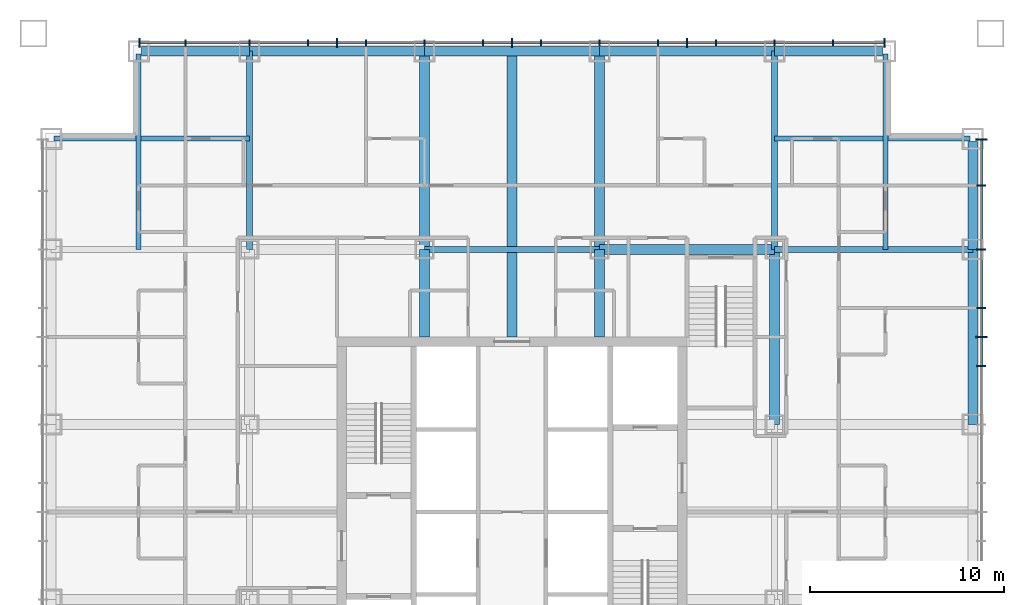
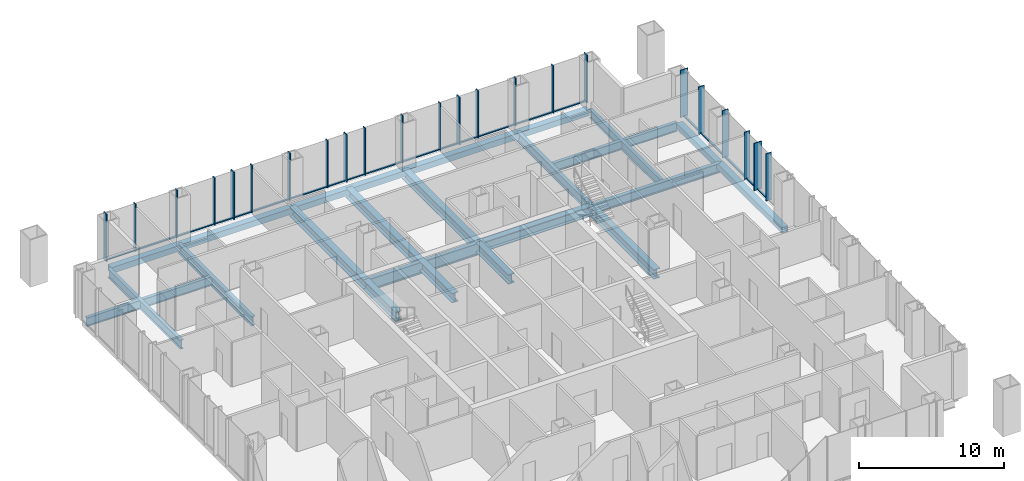
# One storey, part 5 of 12: 44 members, 22 beams, 2 elements without a shape of their own.
"""IFC4 building model written with IfcOpenShell, lengths in metres."""

from ifc_helpers import new_model, si_unit, direction, frame, origin, origin_2d, place, context, subcontext, project, spatial, rectangle, hollow_rectangle, i_section, extrude, material, layer, layer_set, material_profile, profile_set, type_object, element, aggregate, save


model = new_model("IFC4")

# Units and contexts
model_context = context("Model", 3, precision=1e-05, world=origin(), true_north=direction((0.0, 1.0)))
body_context = subcontext(model_context, "Body", "Model", "MODEL_VIEW")
ifc_project = project(units=[si_unit("LENGTHUNIT", "METRE"), si_unit("AREAUNIT", "SQUARE_METRE"), si_unit("VOLUMEUNIT", "CUBIC_METRE"), si_unit("PLANEANGLEUNIT", "RADIAN"), si_unit("MASSUNIT", "GRAM", prefix="KILO")], contexts=[model_context])

# Site, building, storey
site_placement = place(None, origin())
site = spatial("IfcSite", under=ifc_project, at=site_placement, CompositionType="ELEMENT")
building_placement = place(site_placement, origin())
building = spatial("IfcBuilding", under=site, at=building_placement, Name="Malebo Sky Hospital", CompositionType="ELEMENT")
storey_placement = place(building_placement, frame((0.0, 0.0, 136.0)))
storey = spatial("IfcBuildingStorey", under=building, at=storey_placement, Name="L32", CompositionType="ELEMENT", Elevation=136.0)

# Curtain wall, members
ifc_material_1 = material(Name="Anodised aluminium, natural silver", Category="aluminium")
ifc_layer_1 = layer(ifc_material_1, 0.25)
ifc_layer_set_1 = layer_set([ifc_layer_1], Name="WARD CURTAIN WALL NORTH AND SOUTH")
curtain_wall_type_1 = type_object("IfcCurtainWallType", Name="WARD CURTAIN WALL NORTH AND SOUTH", PredefinedType="NOTDEFINED", material=ifc_layer_set_1)
curtain_wall_1_placement = place(storey_placement, origin())
curtain_wall_1 = element("IfcCurtainWall", 1, at=curtain_wall_1_placement, inside=storey, type_object=curtain_wall_type_1, Name="NS curtain wall N", PredefinedType="NOTDEFINED")
ifc_material_profile_1 = material_profile(ifc_material_1, rectangle(XDim=0.14990234375, YDim=0.10009765625, at=origin_2d()), Name="ALUMINIUM TRANSOM 150x100")
ifc_profile_set_1 = profile_set([ifc_material_profile_1], Name="Anodised aluminium, natural silver")
member_type_1 = type_object("IfcMemberType", Name="ALUMINIUM TRANSOM 150x100", PredefinedType="USERDEFINED", material=ifc_profile_set_1)
member_1_placement = place(storey_placement, frame((40.875, 86.135009765625, 0.050048828125), z_axis=(1.0, 0.0, 0.0), x_axis=(0.0, 1.0, 0.0)))
member_1 = element("IfcMember", 2, at=member_1_placement, type_object=member_type_1, Name="Transom 1", ObjectType="TRANSOM", PredefinedType="USERDEFINED", context=body_context, shape_type="SweptSolid", body=[
    extrude(rectangle(XDim=0.14990234375, YDim=0.10009765625, at=origin_2d()), origin(), (0.0, 0.0, 1.0), 2.28759765625),
])
member_2_placement = place(storey_placement, frame((43.237548828125, 86.135009765625, 0.050048828125), z_axis=(1.0, 0.0, 0.0), x_axis=(0.0, 1.0, 0.0)))
member_2 = element("IfcMember", 3, at=member_2_placement, type_object=member_type_1, Name="Transom 2", ObjectType="TRANSOM", PredefinedType="USERDEFINED", context=body_context, shape_type="SweptSolid", body=[
    extrude(rectangle(XDim=0.14990234375, YDim=0.10009765625, at=origin_2d()), origin(), (0.0, 0.0, 1.0), 3.224853515625),
])
member_3_placement = place(storey_placement, frame((46.53759765625, 86.135009765625, 0.050048828125), z_axis=(1.0, 0.0, 0.0), x_axis=(0.0, 1.0, 0.0)))
member_3 = element("IfcMember", 4, at=member_3_placement, type_object=member_type_1, Name="Transom 3", ObjectType="TRANSOM", PredefinedType="USERDEFINED", context=body_context, shape_type="SweptSolid", body=[
    extrude(rectangle(XDim=0.14990234375, YDim=0.10009765625, at=origin_2d()), origin(), (0.0, 0.0, 1.0), 2.9248046875),
])
member_4_placement = place(storey_placement, frame((49.53759765625, 86.135009765625, 0.050048828125), z_axis=(1.0, 0.0, 0.0), x_axis=(0.0, 1.0, 0.0)))
member_4 = element("IfcMember", 5, at=member_4_placement, type_object=member_type_1, Name="Transom 4", ObjectType="TRANSOM", PredefinedType="USERDEFINED", context=body_context, shape_type="SweptSolid", body=[
    extrude(rectangle(XDim=0.14990234375, YDim=0.10009765625, at=origin_2d()), origin(), (0.0, 0.0, 1.0), 1.4248046875),
])
member_5_placement = place(storey_placement, frame((51.03759765625, 86.135009765625, 0.050048828125), z_axis=(1.0, 0.0, 0.0), x_axis=(0.0, 1.0, 0.0)))
member_5 = element("IfcMember", 6, at=member_5_placement, type_object=member_type_1, Name="Transom 5", ObjectType="TRANSOM", PredefinedType="USERDEFINED", context=body_context, shape_type="SweptSolid", body=[
    extrude(rectangle(XDim=0.14990234375, YDim=0.10009765625, at=origin_2d()), origin(), (0.0, 0.0, 1.0), 1.4248046875),
])
member_6_placement = place(storey_placement, frame((52.53759765625, 86.135009765625, 0.050048828125), z_axis=(1.0, 0.0, 0.0), x_axis=(0.0, 1.0, 0.0)))
member_6 = element("IfcMember", 7, at=member_6_placement, type_object=member_type_1, Name="Transom 6", ObjectType="TRANSOM", PredefinedType="USERDEFINED", context=body_context, shape_type="SweptSolid", body=[
    extrude(rectangle(XDim=0.14990234375, YDim=0.10009765625, at=origin_2d()), origin(), (0.0, 0.0, 1.0), 2.9248046875),
])
member_7_placement = place(storey_placement, frame((55.53759765625, 86.135009765625, 0.050048828125), z_axis=(1.0, 0.0, 0.0), x_axis=(0.0, 1.0, 0.0)))
member_7 = element("IfcMember", 8, at=member_7_placement, type_object=member_type_1, Name="Transom 7", ObjectType="TRANSOM", PredefinedType="USERDEFINED", context=body_context, shape_type="SweptSolid", body=[
    extrude(rectangle(XDim=0.14990234375, YDim=0.10009765625, at=origin_2d()), origin(), (0.0, 0.0, 1.0), 2.9248046875),
])
member_8_placement = place(storey_placement, frame((58.53759765625, 86.135009765625, 0.050048828125), z_axis=(1.0, 0.0, 0.0), x_axis=(0.0, 1.0, 0.0)))
member_8 = element("IfcMember", 9, at=member_8_placement, type_object=member_type_1, Name="Transom 8", ObjectType="TRANSOM", PredefinedType="USERDEFINED", context=body_context, shape_type="SweptSolid", body=[
    extrude(rectangle(XDim=0.14990234375, YDim=0.10009765625, at=origin_2d()), origin(), (0.0, 0.0, 1.0), 1.4248046875),
])
member_9_placement = place(storey_placement, frame((60.03759765625, 86.135009765625, 0.050048828125), z_axis=(1.0, 0.0, 0.0), x_axis=(0.0, 1.0, 0.0)))
member_9 = element("IfcMember", 10, at=member_9_placement, type_object=member_type_1, Name="Transom 9", ObjectType="TRANSOM", PredefinedType="USERDEFINED", context=body_context, shape_type="SweptSolid", body=[
    extrude(rectangle(XDim=0.14990234375, YDim=0.10009765625, at=origin_2d()), origin(), (0.0, 0.0, 1.0), 1.4248046875),
])
member_10_placement = place(storey_placement, frame((61.53759765625, 86.135009765625, 0.050048828125), z_axis=(1.0, 0.0, 0.0), x_axis=(0.0, 1.0, 0.0)))
member_10 = element("IfcMember", 11, at=member_10_placement, type_object=member_type_1, Name="Transom 10", ObjectType="TRANSOM", PredefinedType="USERDEFINED", context=body_context, shape_type="SweptSolid", body=[
    extrude(rectangle(XDim=0.14990234375, YDim=0.10009765625, at=origin_2d()), origin(), (0.0, 0.0, 1.0), 2.9248046875),
])
member_11_placement = place(storey_placement, frame((64.53759765625, 86.135009765625, 0.050048828125), z_axis=(1.0, 0.0, 0.0), x_axis=(0.0, 1.0, 0.0)))
member_11 = element("IfcMember", 12, at=member_11_placement, type_object=member_type_1, Name="Transom 11", ObjectType="TRANSOM", PredefinedType="USERDEFINED", context=body_context, shape_type="SweptSolid", body=[
    extrude(rectangle(XDim=0.14990234375, YDim=0.10009765625, at=origin_2d()), origin(), (0.0, 0.0, 1.0), 2.9248046875),
])
member_12_placement = place(storey_placement, frame((67.53759765625, 86.135009765625, 0.050048828125), z_axis=(1.0, 0.0, 0.0), x_axis=(0.0, 1.0, 0.0)))
member_12 = element("IfcMember", 13, at=member_12_placement, type_object=member_type_1, Name="Transom 12", ObjectType="TRANSOM", PredefinedType="USERDEFINED", context=body_context, shape_type="SweptSolid", body=[
    extrude(rectangle(XDim=0.14990234375, YDim=0.10009765625, at=origin_2d()), origin(), (0.0, 0.0, 1.0), 1.4248046875),
])
member_13_placement = place(storey_placement, frame((69.03759765625, 86.135009765625, 0.050048828125), z_axis=(1.0, 0.0, 0.0), x_axis=(0.0, 1.0, 0.0)))
member_13 = element("IfcMember", 14, at=member_13_placement, type_object=member_type_1, Name="Transom 13", ObjectType="TRANSOM", PredefinedType="USERDEFINED", context=body_context, shape_type="SweptSolid", body=[
    extrude(rectangle(XDim=0.14990234375, YDim=0.10009765625, at=origin_2d()), origin(), (0.0, 0.0, 1.0), 1.4248046875),
])
member_14_placement = place(storey_placement, frame((70.53759765625, 86.135009765625, 0.050048828125), z_axis=(1.0, 0.0, 0.0), x_axis=(0.0, 1.0, 0.0)))
member_14 = element("IfcMember", 15, at=member_14_placement, type_object=member_type_1, Name="Transom 14", ObjectType="TRANSOM", PredefinedType="USERDEFINED", context=body_context, shape_type="SweptSolid", body=[
    extrude(rectangle(XDim=0.14990234375, YDim=0.10009765625, at=origin_2d()), origin(), (0.0, 0.0, 1.0), 2.9248046875),
])
member_15_placement = place(storey_placement, frame((73.53759765625, 86.135009765625, 0.050048828125), z_axis=(1.0, 0.0, 0.0), x_axis=(0.0, 1.0, 0.0)))
member_15 = element("IfcMember", 16, at=member_15_placement, type_object=member_type_1, Name="Transom 15", ObjectType="TRANSOM", PredefinedType="USERDEFINED", context=body_context, shape_type="SweptSolid", body=[
    extrude(rectangle(XDim=0.14990234375, YDim=0.10009765625, at=origin_2d()), origin(), (0.0, 0.0, 1.0), 2.9248046875),
])
member_16_placement = place(storey_placement, frame((76.53759765625, 86.135009765625, 0.050048828125), z_axis=(1.0, 0.0, 0.0), x_axis=(0.0, 1.0, 0.0)))
member_16 = element("IfcMember", 17, at=member_16_placement, type_object=member_type_1, Name="Transom 16", ObjectType="TRANSOM", PredefinedType="USERDEFINED", context=body_context, shape_type="SweptSolid", body=[
    extrude(rectangle(XDim=0.14990234375, YDim=0.10009765625, at=origin_2d()), origin(), (0.0, 0.0, 1.0), 2.58740234375),
])

ifc_layer_2 = layer(ifc_material_1, 0.25)
ifc_layer_set_2 = layer_set([ifc_layer_2], Name="WARD CURTAIN WALL EAST AND WEST")
curtain_wall_type_2 = type_object("IfcCurtainWallType", Name="WARD CURTAIN WALL EAST AND WEST", PredefinedType="NOTDEFINED", material=ifc_layer_set_2)
curtain_wall_2_placement = place(storey_placement, origin())
curtain_wall_2 = element("IfcCurtainWall", 18, at=curtain_wall_2_placement, inside=storey, type_object=curtain_wall_type_2, Name="EW curtain wall E", PredefinedType="NOTDEFINED")
member_17_placement = place(storey_placement, frame((84.135009765625, 81.125, 0.050048828125), z_axis=(0.0, -1.0, 0.0), x_axis=(1.0, 0.0, 0.0)))
member_17 = element("IfcMember", 19, at=member_17_placement, type_object=member_type_1, Name="Transom 1", ObjectType="TRANSOM", PredefinedType="USERDEFINED", context=body_context, shape_type="SweptSolid", body=[
    extrude(rectangle(XDim=0.14990234375, YDim=0.10009765625, at=origin_2d()), origin(), (0.0, 0.0, 1.0), 2.28759765625),
])
member_18_placement = place(storey_placement, frame((84.135009765625, 78.762451171875, 0.050048828125), z_axis=(0.0, -1.0, 0.0), x_axis=(1.0, 0.0, 0.0)))
member_18 = element("IfcMember", 20, at=member_18_placement, type_object=member_type_1, Name="Transom 2", ObjectType="TRANSOM", PredefinedType="USERDEFINED", context=body_context, shape_type="SweptSolid", body=[
    extrude(rectangle(XDim=0.14990234375, YDim=0.10009765625, at=origin_2d()), origin(), (0.0, 0.0, 1.0), 3.224853515625),
])
member_19_placement = place(storey_placement, frame((84.135009765625, 75.46240234375, 0.050048828125), z_axis=(0.0, -1.0, 0.0), x_axis=(1.0, 0.0, 0.0)))
member_19 = element("IfcMember", 21, at=member_19_placement, type_object=member_type_1, Name="Transom 3", ObjectType="TRANSOM", PredefinedType="USERDEFINED", context=body_context, shape_type="SweptSolid", body=[
    extrude(rectangle(XDim=0.14990234375, YDim=0.10009765625, at=origin_2d()), origin(), (0.0, 0.0, 1.0), 2.9248046875),
])
member_20_placement = place(storey_placement, frame((84.135009765625, 72.46240234375, 0.050048828125), z_axis=(0.0, -1.0, 0.0), x_axis=(1.0, 0.0, 0.0)))
member_20 = element("IfcMember", 22, at=member_20_placement, type_object=member_type_1, Name="Transom 4", ObjectType="TRANSOM", PredefinedType="USERDEFINED", context=body_context, shape_type="SweptSolid", body=[
    extrude(rectangle(XDim=0.14990234375, YDim=0.10009765625, at=origin_2d()), origin(), (0.0, 0.0, 1.0), 1.4248046875),
])
member_21_placement = place(storey_placement, frame((84.135009765625, 70.96240234375, 0.050048828125), z_axis=(0.0, -1.0, 0.0), x_axis=(1.0, 0.0, 0.0)))
member_21 = element("IfcMember", 23, at=member_21_placement, type_object=member_type_1, Name="Transom 5", ObjectType="TRANSOM", PredefinedType="USERDEFINED", context=body_context, shape_type="SweptSolid", body=[
    extrude(rectangle(XDim=0.14990234375, YDim=0.10009765625, at=origin_2d()), origin(), (0.0, 0.0, 1.0), 1.4248046875),
])

# Member
ifc_material_profile_2 = material_profile(ifc_material_1, rectangle(XDim=0.074951171875, YDim=0.300048828125, at=origin_2d()), Name="CW1 ALUMINIUM FIN MULLION 75x300")
ifc_profile_set_2 = profile_set([ifc_material_profile_2], Name="Anodised aluminium, natural silver")
member_type_2 = type_object("IfcMemberType", Name="CW1 ALUMINIUM FIN MULLION 75x300", PredefinedType="MULLION", material=ifc_profile_set_2)
member_22_placement = place(storey_placement, frame((43.199951171875, 86.135009765625, 0.0), z_axis=(0.0, 0.0, 1.0), x_axis=(1.0, 0.0, 0.0)))
member_22 = element("IfcMember", 24, at=member_22_placement, type_object=member_type_2, Name="Fin mullion 2", PredefinedType="MULLION", context=body_context, shape_type="SweptSolid", body=[
    extrude(rectangle(XDim=0.074951171875, YDim=0.300048828125, at=origin_2d()), origin(), (0.0, 0.0, 1.0), 4.0),
])

member_23_placement = place(storey_placement, frame((46.5, 86.135009765625, 0.0), z_axis=(0.0, 0.0, 1.0), x_axis=(1.0, 0.0, 0.0)))
member_23 = element("IfcMember", 25, at=member_23_placement, type_object=member_type_2, Name="Fin mullion 3", PredefinedType="MULLION", context=body_context, shape_type="SweptSolid", body=[
    extrude(rectangle(XDim=0.074951171875, YDim=0.300048828125, at=origin_2d()), origin(), (0.0, 0.0, 1.0), 4.0),
])

member_24_placement = place(storey_placement, frame((49.5, 86.135009765625, 0.0), z_axis=(0.0, 0.0, 1.0), x_axis=(1.0, 0.0, 0.0)))
member_24 = element("IfcMember", 26, at=member_24_placement, type_object=member_type_2, Name="Fin mullion 4", PredefinedType="MULLION", context=body_context, shape_type="SweptSolid", body=[
    extrude(rectangle(XDim=0.074951171875, YDim=0.300048828125, at=origin_2d()), origin(), (0.0, 0.0, 1.0), 4.0),
])

member_25_placement = place(storey_placement, frame((52.5, 86.135009765625, 0.0), z_axis=(0.0, 0.0, 1.0), x_axis=(1.0, 0.0, 0.0)))
member_25 = element("IfcMember", 27, at=member_25_placement, type_object=member_type_2, Name="Fin mullion 6", PredefinedType="MULLION", context=body_context, shape_type="SweptSolid", body=[
    extrude(rectangle(XDim=0.074951171875, YDim=0.300048828125, at=origin_2d()), origin(), (0.0, 0.0, 1.0), 4.0),
])

member_26_placement = place(storey_placement, frame((55.5, 86.135009765625, 0.0), z_axis=(0.0, 0.0, 1.0), x_axis=(1.0, 0.0, 0.0)))
member_26 = element("IfcMember", 28, at=member_26_placement, type_object=member_type_2, Name="Fin mullion 7", PredefinedType="MULLION", context=body_context, shape_type="SweptSolid", body=[
    extrude(rectangle(XDim=0.074951171875, YDim=0.300048828125, at=origin_2d()), origin(), (0.0, 0.0, 1.0), 4.0),
])

member_27_placement = place(storey_placement, frame((58.5, 86.135009765625, 0.0), z_axis=(0.0, 0.0, 1.0), x_axis=(1.0, 0.0, 0.0)))
member_27 = element("IfcMember", 29, at=member_27_placement, type_object=member_type_2, Name="Fin mullion 8", PredefinedType="MULLION", context=body_context, shape_type="SweptSolid", body=[
    extrude(rectangle(XDim=0.074951171875, YDim=0.300048828125, at=origin_2d()), origin(), (0.0, 0.0, 1.0), 4.0),
])

member_28_placement = place(storey_placement, frame((61.5, 86.135009765625, 0.0), z_axis=(0.0, 0.0, 1.0), x_axis=(1.0, 0.0, 0.0)))
member_28 = element("IfcMember", 30, at=member_28_placement, type_object=member_type_2, Name="Fin mullion 10", PredefinedType="MULLION", context=body_context, shape_type="SweptSolid", body=[
    extrude(rectangle(XDim=0.074951171875, YDim=0.300048828125, at=origin_2d()), origin(), (0.0, 0.0, 1.0), 4.0),
])

member_29_placement = place(storey_placement, frame((64.5, 86.135009765625, 0.0), z_axis=(0.0, 0.0, 1.0), x_axis=(1.0, 0.0, 0.0)))
member_29 = element("IfcMember", 31, at=member_29_placement, type_object=member_type_2, Name="Fin mullion 11", PredefinedType="MULLION", context=body_context, shape_type="SweptSolid", body=[
    extrude(rectangle(XDim=0.074951171875, YDim=0.300048828125, at=origin_2d()), origin(), (0.0, 0.0, 1.0), 4.0),
])

member_30_placement = place(storey_placement, frame((67.5, 86.135009765625, 0.0), z_axis=(0.0, 0.0, 1.0), x_axis=(1.0, 0.0, 0.0)))
member_30 = element("IfcMember", 32, at=member_30_placement, type_object=member_type_2, Name="Fin mullion 12", PredefinedType="MULLION", context=body_context, shape_type="SweptSolid", body=[
    extrude(rectangle(XDim=0.074951171875, YDim=0.300048828125, at=origin_2d()), origin(), (0.0, 0.0, 1.0), 4.0),
])

member_31_placement = place(storey_placement, frame((70.5, 86.135009765625, 0.0), z_axis=(0.0, 0.0, 1.0), x_axis=(1.0, 0.0, 0.0)))
member_31 = element("IfcMember", 33, at=member_31_placement, type_object=member_type_2, Name="Fin mullion 14", PredefinedType="MULLION", context=body_context, shape_type="SweptSolid", body=[
    extrude(rectangle(XDim=0.074951171875, YDim=0.300048828125, at=origin_2d()), origin(), (0.0, 0.0, 1.0), 4.0),
])

member_32_placement = place(storey_placement, frame((73.5, 86.135009765625, 0.0), z_axis=(0.0, 0.0, 1.0), x_axis=(1.0, 0.0, 0.0)))
member_32 = element("IfcMember", 34, at=member_32_placement, type_object=member_type_2, Name="Fin mullion 15", PredefinedType="MULLION", context=body_context, shape_type="SweptSolid", body=[
    extrude(rectangle(XDim=0.074951171875, YDim=0.300048828125, at=origin_2d()), origin(), (0.0, 0.0, 1.0), 4.0),
])

member_33_placement = place(storey_placement, frame((76.5, 86.135009765625, 0.0), z_axis=(0.0, 0.0, 1.0), x_axis=(1.0, 0.0, 0.0)))
member_33 = element("IfcMember", 35, at=member_33_placement, type_object=member_type_2, Name="Fin mullion 16", PredefinedType="MULLION", context=body_context, shape_type="SweptSolid", body=[
    extrude(rectangle(XDim=0.074951171875, YDim=0.300048828125, at=origin_2d()), origin(), (0.0, 0.0, 1.0), 4.0),
])

ifc_material_profile_3 = material_profile(ifc_material_1, rectangle(XDim=0.074951171875, YDim=0.449951171875, at=origin_2d()), Name="CW1 ALUMINIUM FIN MULLION 75x450")
ifc_profile_set_3 = profile_set([ifc_material_profile_3], Name="Anodised aluminium, natural silver")
member_type_3 = type_object("IfcMemberType", Name="CW1 ALUMINIUM FIN MULLION 75x450", PredefinedType="MULLION", material=ifc_profile_set_3)
member_34_placement = place(storey_placement, frame((40.83740234375, 86.135009765625, 0.0), z_axis=(0.0, 0.0, 1.0), x_axis=(1.0, 0.0, 0.0)))
member_34 = element("IfcMember", 36, at=member_34_placement, type_object=member_type_3, Name="Fin mullion 1", PredefinedType="MULLION", context=body_context, shape_type="SweptSolid", body=[
    extrude(rectangle(XDim=0.074951171875, YDim=0.449951171875, at=origin_2d()), origin(), (0.0, 0.0, 1.0), 4.0),
])

member_35_placement = place(storey_placement, frame((51.0, 86.135009765625, 0.0), z_axis=(0.0, 0.0, 1.0), x_axis=(1.0, 0.0, 0.0)))
member_35 = element("IfcMember", 37, at=member_35_placement, type_object=member_type_3, Name="Fin mullion 5", PredefinedType="MULLION", context=body_context, shape_type="SweptSolid", body=[
    extrude(rectangle(XDim=0.074951171875, YDim=0.449951171875, at=origin_2d()), origin(), (0.0, 0.0, 1.0), 4.0),
])

member_36_placement = place(storey_placement, frame((60.0, 86.135009765625, 0.0), z_axis=(0.0, 0.0, 1.0), x_axis=(1.0, 0.0, 0.0)))
member_36 = element("IfcMember", 38, at=member_36_placement, type_object=member_type_3, Name="Fin mullion 9", PredefinedType="MULLION", context=body_context, shape_type="SweptSolid", body=[
    extrude(rectangle(XDim=0.074951171875, YDim=0.449951171875, at=origin_2d()), origin(), (0.0, 0.0, 1.0), 4.0),
])

member_37_placement = place(storey_placement, frame((69.0, 86.135009765625, 0.0), z_axis=(0.0, 0.0, 1.0), x_axis=(1.0, 0.0, 0.0)))
member_37 = element("IfcMember", 39, at=member_37_placement, type_object=member_type_3, Name="Fin mullion 13", PredefinedType="MULLION", context=body_context, shape_type="SweptSolid", body=[
    extrude(rectangle(XDim=0.074951171875, YDim=0.449951171875, at=origin_2d()), origin(), (0.0, 0.0, 1.0), 4.0),
])

member_38_placement = place(storey_placement, frame((79.16259765625, 86.135009765625, 0.0), z_axis=(0.0, 0.0, 1.0), x_axis=(1.0, 0.0, 0.0)))
member_38 = element("IfcMember", 40, at=member_38_placement, type_object=member_type_3, Name="Fin mullion 17", PredefinedType="MULLION", context=body_context, shape_type="SweptSolid", body=[
    extrude(rectangle(XDim=0.074951171875, YDim=0.449951171875, at=origin_2d()), origin(), (0.0, 0.0, 1.0), 4.0),
])

aggregate(curtain_wall_1, [member_34, member_22, member_23, member_24, member_35, member_25, member_26, member_27, member_36, member_28, member_29, member_30, member_37, member_31, member_32, member_33, member_38, member_1, member_2, member_3, member_4, member_5, member_6, member_7, member_8, member_9, member_10, member_11, member_12, member_13, member_14, member_15, member_16])

ifc_material_profile_4 = material_profile(ifc_material_1, rectangle(XDim=0.074951171875, YDim=0.449951171875, at=origin_2d()), Name="CW2 ALUMINIUM FIN MULLION 75x450")
ifc_profile_set_4 = profile_set([ifc_material_profile_4], Name="Anodised aluminium, natural silver")
member_type_4 = type_object("IfcMemberType", Name="CW2 ALUMINIUM FIN MULLION 75x450", PredefinedType="MULLION", material=ifc_profile_set_4)
member_39_placement = place(storey_placement, frame((84.135009765625, 78.800048828125, 0.0), z_axis=(0.0, 0.0, 1.0), x_axis=(0.0, -1.0, 0.0)))
member_39 = element("IfcMember", 41, at=member_39_placement, type_object=member_type_4, Name="Fin mullion 2", PredefinedType="MULLION", context=body_context, shape_type="SweptSolid", body=[
    extrude(rectangle(XDim=0.074951171875, YDim=0.449951171875, at=origin_2d()), origin(), (0.0, 0.0, 1.0), 4.0),
])

member_40_placement = place(storey_placement, frame((84.135009765625, 75.5, 0.0), z_axis=(0.0, 0.0, 1.0), x_axis=(0.0, -1.0, 0.0)))
member_40 = element("IfcMember", 42, at=member_40_placement, type_object=member_type_4, Name="Fin mullion 3", PredefinedType="MULLION", context=body_context, shape_type="SweptSolid", body=[
    extrude(rectangle(XDim=0.074951171875, YDim=0.449951171875, at=origin_2d()), origin(), (0.0, 0.0, 1.0), 4.0),
])

member_41_placement = place(storey_placement, frame((84.135009765625, 72.5, 0.0), z_axis=(0.0, 0.0, 1.0), x_axis=(0.0, -1.0, 0.0)))
member_41 = element("IfcMember", 43, at=member_41_placement, type_object=member_type_4, Name="Fin mullion 4", PredefinedType="MULLION", context=body_context, shape_type="SweptSolid", body=[
    extrude(rectangle(XDim=0.074951171875, YDim=0.449951171875, at=origin_2d()), origin(), (0.0, 0.0, 1.0), 4.0),
])

member_42_placement = place(storey_placement, frame((84.135009765625, 69.5, 0.0), z_axis=(0.0, 0.0, 1.0), x_axis=(0.0, -1.0, 0.0)))
member_42 = element("IfcMember", 44, at=member_42_placement, type_object=member_type_4, Name="Fin mullion 6", PredefinedType="MULLION", context=body_context, shape_type="SweptSolid", body=[
    extrude(rectangle(XDim=0.074951171875, YDim=0.449951171875, at=origin_2d()), origin(), (0.0, 0.0, 1.0), 4.0),
])

ifc_material_profile_5 = material_profile(ifc_material_1, rectangle(XDim=0.074951171875, YDim=0.60009765625, at=origin_2d()), Name="CW2 ALUMINIUM FIN MULLION 75x600")
ifc_profile_set_5 = profile_set([ifc_material_profile_5], Name="Anodised aluminium, natural silver")
member_type_5 = type_object("IfcMemberType", Name="CW2 ALUMINIUM FIN MULLION 75x600", PredefinedType="MULLION", material=ifc_profile_set_5)
member_43_placement = place(storey_placement, frame((84.135009765625, 81.16259765625, 0.0), z_axis=(0.0, 0.0, 1.0), x_axis=(0.0, -1.0, 0.0)))
member_43 = element("IfcMember", 45, at=member_43_placement, type_object=member_type_5, Name="Fin mullion 1", PredefinedType="MULLION", context=body_context, shape_type="SweptSolid", body=[
    extrude(rectangle(XDim=0.074951171875, YDim=0.60009765625, at=origin_2d()), origin(), (0.0, 0.0, 1.0), 4.0),
])

member_44_placement = place(storey_placement, frame((84.135009765625, 71.0, 0.0), z_axis=(0.0, 0.0, 1.0), x_axis=(0.0, -1.0, 0.0)))
member_44 = element("IfcMember", 46, at=member_44_placement, type_object=member_type_5, Name="Fin mullion 5", PredefinedType="MULLION", context=body_context, shape_type="SweptSolid", body=[
    extrude(rectangle(XDim=0.074951171875, YDim=0.60009765625, at=origin_2d()), origin(), (0.0, 0.0, 1.0), 4.0),
])

aggregate(curtain_wall_2, [member_43, member_39, member_40, member_41, member_44, member_42, member_17, member_18, member_19, member_20, member_21])

# Beams
ifc_material_2 = material(Name="Steel S460", Category="steel")
ifc_material_profile_6 = material_profile(ifc_material_2, hollow_rectangle(XDim=0.5, YDim=0.5, WallThickness=0.030029296875, at=origin_2d()), Name="BOX 500x500x30")
ifc_profile_set_6 = profile_set([ifc_material_profile_6], Name="Steel S460")
beam_type_1 = type_object("IfcBeamType", Name="EDGE BEAM BOX 500x500x30", PredefinedType="BEAM", material=ifc_profile_set_6)
beam_1_placement = place(storey_placement, frame((83.699951171875, 66.5, -0.5), z_axis=(0.0, 1.0, 0.0), x_axis=(-1.0, 0.0, 0.0)))
element("IfcBeam", 47, at=beam_1_placement, inside=storey, type_object=beam_type_1, Name="Beam 032 L32", PredefinedType="BEAM", context=body_context, shape_type="SweptSolid", body=[
    extrude(hollow_rectangle(XDim=0.5, YDim=0.5, WallThickness=0.030029296875, at=origin_2d()), origin(), (0.0, 0.0, 1.0), 9.0),
])
for number, where, z_axis, x_axis, name in (
    (48, (83.699951171875, 75.5, -0.5), (0.0, 1.0, 0.0), (-1.0, 0.0, 0.0), "Beam 033 L32"),
    (49, (40.949951171875, 85.699951171875, -0.5), (1.0, 0.0, 0.0), (0.0, 1.0, 0.0), "Beam 063 L32"),
):
    element("IfcBeam", number, at=place(storey_placement, frame(where, z_axis=z_axis, x_axis=x_axis)), inside=storey, type_object=beam_type_1, Name=name, PredefinedType="BEAM", context=body_context, shape_type="SweptSolid", body=[
        extrude(hollow_rectangle(XDim=0.5, YDim=0.5, WallThickness=0.030029296875, at=origin_2d()), origin(), (0.0, 0.0, 1.0), 5.550048828125),
    ])
for number, where, z_axis, x_axis, name in (
    (50, (46.5, 85.699951171875, -0.5), (1.0, 0.0, 0.0), (0.0, 1.0, 0.0), "Beam 064 L32"),
    (51, (55.5, 85.699951171875, -0.5), (1.0, 0.0, 0.0), (0.0, 1.0, 0.0), "Beam 065 L32"),
    (52, (64.5, 85.699951171875, -0.5), (1.0, 0.0, 0.0), (0.0, 1.0, 0.0), "Beam 066 L32"),
):
    element("IfcBeam", number, at=place(storey_placement, frame(where, z_axis=z_axis, x_axis=x_axis)), inside=storey, type_object=beam_type_1, Name=name, PredefinedType="BEAM", context=body_context, shape_type="SweptSolid", body=[
        extrude(hollow_rectangle(XDim=0.5, YDim=0.5, WallThickness=0.030029296875, at=origin_2d()), origin(), (0.0, 0.0, 1.0), 9.0),
    ])
beam_2_placement = place(storey_placement, frame((73.5, 85.699951171875, -0.5), z_axis=(1.0, 0.0, 0.0), x_axis=(0.0, 1.0, 0.0)))
element("IfcBeam", 53, at=beam_2_placement, inside=storey, type_object=beam_type_1, Name="Beam 067 L32", PredefinedType="BEAM", context=body_context, shape_type="SweptSolid", body=[
    extrude(hollow_rectangle(XDim=0.5, YDim=0.5, WallThickness=0.030029296875, at=origin_2d()), origin(), (0.0, 0.0, 1.0), 5.550048828125),
])
ifc_material_3 = material(Name="Steel S355", Category="steel")
ifc_material_profile_7 = material_profile(ifc_material_3, i_section(OverallWidth=0.262939453125, OverallDepth=0.7529296875, WebThickness=0.011474609375, FlangeThickness=0.01708984375, FilletRadius=0.01708984375, at=origin_2d()), Name="IPE 750x137")
ifc_profile_set_7 = profile_set([ifc_material_profile_7], Name="Steel S355")
beam_type_2 = type_object("IfcBeamType", Name="FLOOR BEAM IPE 750x137", PredefinedType="BEAM", material=ifc_profile_set_7)
for number, where, z_axis, x_axis, name in (
    (54, (40.800048828125, 75.5, -0.62646484375), (0.0, 1.0, 0.0), (-1.0, 0.0, 0.0), "Beam 006 L32"),
    (55, (79.199951171875, 75.5, -0.62646484375), (0.0, 1.0, 0.0), (-1.0, 0.0, 0.0), "Beam 028 L32"),
    (56, (36.449951171875, 81.199951171875, -0.62646484375), (1.0, 0.0, 0.0), (0.0, 1.0, 0.0), "Beam 061 L32"),
    (57, (73.5, 81.199951171875, -0.62646484375), (1.0, 0.0, 0.0), (0.0, 1.0, 0.0), "Beam 062 L32"),
):
    element("IfcBeam", number, at=place(storey_placement, frame(where, z_axis=z_axis, x_axis=x_axis)), inside=storey, type_object=beam_type_2, Name=name, PredefinedType="BEAM", context=body_context, shape_type="SweptSolid", body=[
        extrude(i_section(OverallWidth=0.262939453125, OverallDepth=0.7529296875, WebThickness=0.011474609375, FlangeThickness=0.01708984375, FilletRadius=0.01708984375, at=origin_2d()), origin(), (0.0, 0.0, 1.0), 10.050048828125),
    ])
ifc_material_profile_8 = material_profile(ifc_material_3, i_section(OverallWidth=0.5, OverallDepth=0.800048828125, WebThickness=0.030029296875, FlangeThickness=0.050048828125, at=origin_2d()), Name="PG 800x500x30x50")
ifc_profile_set_8 = profile_set([ifc_material_profile_8], Name="Steel S355")
beam_type_3 = type_object("IfcBeamType", Name="FLOOR BEAM PG 800x500x30x50", PredefinedType="BEAM", material=ifc_profile_set_8)
beam_3_placement = place(storey_placement, frame((55.5, 71.0, -0.64990234375), z_axis=(0.0, 1.0, 0.0), x_axis=(-1.0, 0.0, 0.0)))
element("IfcBeam", 58, at=beam_3_placement, inside=storey, type_object=beam_type_3, Name="Beam 014 L32", PredefinedType="BEAM", context=body_context, shape_type="SweptSolid", body=[
    extrude(i_section(OverallWidth=0.5, OverallDepth=0.800048828125, WebThickness=0.030029296875, FlangeThickness=0.050048828125, at=origin_2d()), origin(), (0.0, 0.0, 1.0), 4.5),
])
beam_4_placement = place(storey_placement, frame((55.5, 75.5, -0.64990234375), z_axis=(0.0, 1.0, 0.0), x_axis=(-1.0, 0.0, 0.0)))
element("IfcBeam", 59, at=beam_4_placement, inside=storey, type_object=beam_type_3, Name="Beam 015 L32", PredefinedType="BEAM", context=body_context, shape_type="SweptSolid", body=[
    extrude(i_section(OverallWidth=0.5, OverallDepth=0.800048828125, WebThickness=0.030029296875, FlangeThickness=0.050048828125, at=origin_2d()), origin(), (0.0, 0.0, 1.0), 10.199951171875),
])
beam_5_placement = place(storey_placement, frame((60.0, 71.0, -0.64990234375), z_axis=(0.0, 1.0, 0.0), x_axis=(-1.0, 0.0, 0.0)))
element("IfcBeam", 60, at=beam_5_placement, inside=storey, type_object=beam_type_3, Name="Beam 017 L32", PredefinedType="BEAM", context=body_context, shape_type="SweptSolid", body=[
    extrude(i_section(OverallWidth=0.5, OverallDepth=0.800048828125, WebThickness=0.030029296875, FlangeThickness=0.050048828125, at=origin_2d()), origin(), (0.0, 0.0, 1.0), 14.699951171875),
])
beam_6_placement = place(storey_placement, frame((64.5, 71.0, -0.64990234375), z_axis=(0.0, 1.0, 0.0), x_axis=(-1.0, 0.0, 0.0)))
element("IfcBeam", 61, at=beam_6_placement, inside=storey, type_object=beam_type_3, Name="Beam 020 L32", PredefinedType="BEAM", context=body_context, shape_type="SweptSolid", body=[
    extrude(i_section(OverallWidth=0.5, OverallDepth=0.800048828125, WebThickness=0.030029296875, FlangeThickness=0.050048828125, at=origin_2d()), origin(), (0.0, 0.0, 1.0), 4.5),
])
beam_7_placement = place(storey_placement, frame((64.5, 75.5, -0.64990234375), z_axis=(0.0, 1.0, 0.0), x_axis=(-1.0, 0.0, 0.0)))
element("IfcBeam", 62, at=beam_7_placement, inside=storey, type_object=beam_type_3, Name="Beam 021 L32", PredefinedType="BEAM", context=body_context, shape_type="SweptSolid", body=[
    extrude(i_section(OverallWidth=0.5, OverallDepth=0.800048828125, WebThickness=0.030029296875, FlangeThickness=0.050048828125, at=origin_2d()), origin(), (0.0, 0.0, 1.0), 10.199951171875),
])
for number, where, z_axis, x_axis, name in (
    (63, (73.5, 66.5, -0.64990234375), (0.0, 1.0, 0.0), (-1.0, 0.0, 0.0), "Beam 025 L32"),
    (64, (64.5, 75.5, -0.64990234375), (1.0, 0.0, 0.0), (0.0, 1.0, 0.0), "Beam 059 L32"),
):
    element("IfcBeam", number, at=place(storey_placement, frame(where, z_axis=z_axis, x_axis=x_axis)), inside=storey, type_object=beam_type_3, Name=name, PredefinedType="BEAM", context=body_context, shape_type="SweptSolid", body=[
        extrude(i_section(OverallWidth=0.5, OverallDepth=0.800048828125, WebThickness=0.030029296875, FlangeThickness=0.050048828125, at=origin_2d()), origin(), (0.0, 0.0, 1.0), 9.0),
    ])
ifc_material_profile_9 = material_profile(ifc_material_3, i_section(OverallWidth=0.300048828125, OverallDepth=0.800048828125, WebThickness=0.017578125, FlangeThickness=0.032958984375, FilletRadius=0.030029296875, at=origin_2d()), Name="HEB 800")
ifc_profile_set_9 = profile_set([ifc_material_profile_9], Name="Steel S355")
beam_type_4 = type_object("IfcBeamType", Name="FLOOR GIRDER HEB 800", PredefinedType="BEAM", material=ifc_profile_set_9)
for number, where, z_axis, x_axis, name in (
    (65, (46.5, 75.5, -0.64990234375), (0.0, 1.0, 0.0), (-1.0, 0.0, 0.0), "Beam 011 L32"),
    (66, (73.5, 75.5, -0.64990234375), (0.0, 1.0, 0.0), (-1.0, 0.0, 0.0), "Beam 026 L32"),
    (67, (73.5, 75.5, -0.64990234375), (1.0, 0.0, 0.0), (0.0, 1.0, 0.0), "Beam 060 L32"),
):
    element("IfcBeam", number, at=place(storey_placement, frame(where, z_axis=z_axis, x_axis=x_axis)), inside=storey, type_object=beam_type_4, Name=name, PredefinedType="BEAM", context=body_context, shape_type="SweptSolid", body=[
        extrude(i_section(OverallWidth=0.300048828125, OverallDepth=0.800048828125, WebThickness=0.017578125, FlangeThickness=0.032958984375, FilletRadius=0.030029296875, at=origin_2d()), origin(), (0.0, 0.0, 1.0), 10.199951171875),
    ])
ifc_material_profile_10 = material_profile(ifc_material_3, i_section(OverallWidth=0.300048828125, OverallDepth=1.0, WebThickness=0.01904296875, FlangeThickness=0.035888671875, FilletRadius=0.030029296875, at=origin_2d()), Name="HEB 1000")
ifc_profile_set_10 = profile_set([ifc_material_profile_10], Name="Steel S355")
beam_type_5 = type_object("IfcBeamType", Name="RING GIRDER HEB 1000", PredefinedType="BEAM", material=ifc_profile_set_10)
beam_8_placement = place(storey_placement, frame((55.5, 75.5, -0.75), z_axis=(1.0, 0.0, 0.0), x_axis=(0.0, 1.0, 0.0)))
element("IfcBeam", 68, at=beam_8_placement, inside=storey, type_object=beam_type_5, Name="Beam 058 L32", PredefinedType="BEAM", context=body_context, shape_type="SweptSolid", body=[
    extrude(i_section(OverallWidth=0.300048828125, OverallDepth=1.0, WebThickness=0.01904296875, FlangeThickness=0.035888671875, FilletRadius=0.030029296875, at=origin_2d()), origin(), (0.0, 0.0, 1.0), 9.0),
])

save(model, "model.ifc")
